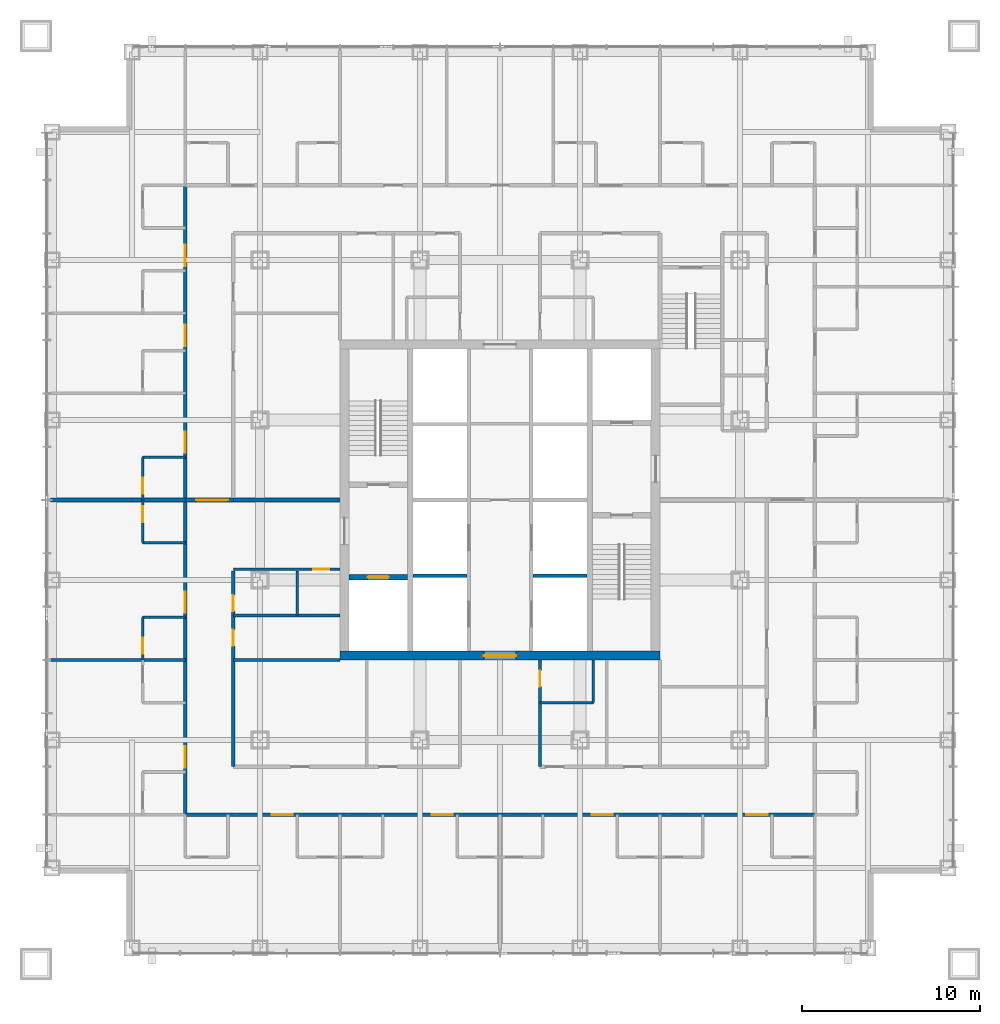
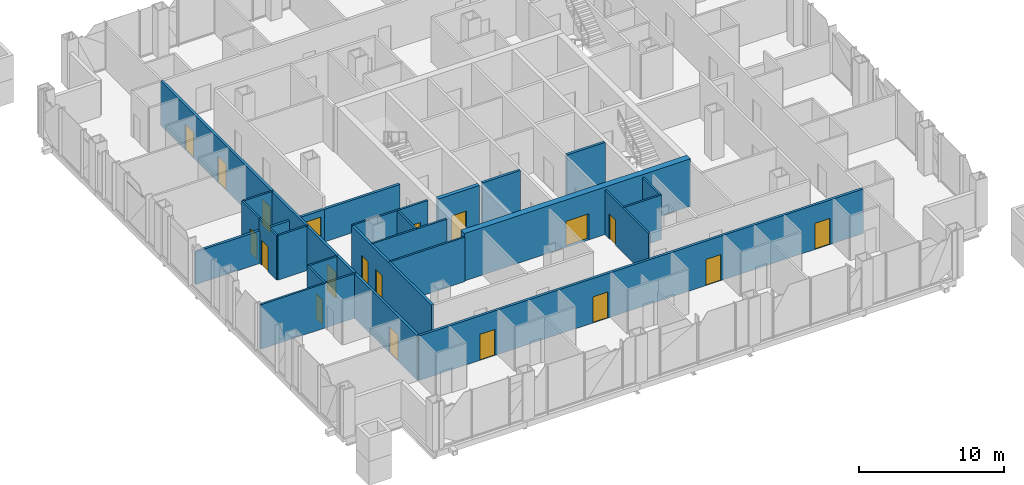
# One storey, part 8 of 23: 24 walls, 19 doors, 19 openings.
"""IFC4 building model written with IfcOpenShell, lengths in metres."""

from ifc_helpers import new_model, si_unit, direction, frame, frame_2d, origin, place, context, subcontext, project, spatial, rectangle, extrude, material, layer, layer_set, type_object, element, fill, save


model = new_model("IFC4")

# Units and contexts
model_context = context("Model", 3, precision=1e-05, world=origin(), true_north=direction((0.0, 1.0)))
body_context = subcontext(model_context, "Body", "Model", "MODEL_VIEW")
ifc_project = project(units=[si_unit("LENGTHUNIT", "METRE"), si_unit("AREAUNIT", "SQUARE_METRE"), si_unit("VOLUMEUNIT", "CUBIC_METRE"), si_unit("PLANEANGLEUNIT", "RADIAN"), si_unit("MASSUNIT", "GRAM", prefix="KILO")], contexts=[model_context])

# Site, building, storey
site_placement = place(None, origin())
site = spatial("IfcSite", under=ifc_project, at=site_placement, CompositionType="ELEMENT")
building_placement = place(site_placement, origin())
building = spatial("IfcBuilding", under=site, at=building_placement, Name="Malebo Sky Hospital", CompositionType="ELEMENT")
storey_placement = place(building_placement, frame((0.0, 0.0, 91.0)))
storey = spatial("IfcBuildingStorey", under=building, at=storey_placement, Name="L21", CompositionType="ELEMENT", Elevation=91.0)

# Walls
ifc_material_1 = material(Name="Concrete C80/95", Category="concrete")
ifc_layer_1 = layer(ifc_material_1, 0.199951171875)
ifc_layer_set_1 = layer_set([ifc_layer_1], Name="CORE INNER WALL 200")
wall_type_1 = type_object("IfcWallType", Name="CORE INNER WALL 200", PredefinedType="SHEAR", material=ifc_layer_set_1)
for number, where, z_axis, x_axis, name in (
    (1, (55.10009765625, 57.75, 0.0), (0.0, 0.0, 1.0), (1.0, 0.0, 0.0), "Core wall SW0 L21"),
    (2, (61.85009765625, 57.75, 0.0), (0.0, 0.0, 1.0), (1.0, 0.0, 0.0), "Core wall SE0 L21"),
):
    element("IfcWall", number, at=place(storey_placement, frame(where, z_axis=z_axis, x_axis=x_axis)), inside=storey, type_object=wall_type_1, Name=name, PredefinedType="SHEAR", context=body_context, shape_type="SweptSolid", body=[
        extrude(rectangle(XDim=3.0498046875, YDim=0.199951171875, at=frame_2d((1.52490234375, 0.0))), origin(), (0.0, 0.0, 1.0), 4.0),
    ])

# Wall, opening, door
ifc_layer_2 = layer(ifc_material_1, 0.300048828125)
ifc_layer_set_2 = layer_set([ifc_layer_2], Name="CORE INNER WALL 300")
wall_type_2 = type_object("IfcWallType", Name="CORE INNER WALL 300", PredefinedType="SHEAR", material=ifc_layer_set_2)
wall_1_placement = place(storey_placement, frame((51.5, 57.64990234375, 0.0), z_axis=(0.0, 0.0, 1.0), x_axis=(1.0, 0.0, 0.0)))
wall_1 = element("IfcWall", 3, at=wall_1_placement, inside=storey, type_object=wall_type_2, Name="Core wall W2 L21", PredefinedType="SHEAR", context=body_context, shape_type="SweptSolid", body=[
    extrude(rectangle(XDim=3.300048828125, YDim=0.300048828125, at=frame_2d((1.64990234375, 0.0))), origin(), (0.0, 0.0, 1.0), 4.0),
])
opening_1_placement = place(wall_1_placement, frame((1.050048828125, 0.0, 0.0)))
opening_1 = element("IfcOpeningElement", 4, at=opening_1_placement, cuts=wall_1, Name="Opening LD2", PredefinedType="OPENING", context=body_context, shape_type="SweptSolid", body=[
    extrude(rectangle(XDim=1.199951171875, YDim=2.199951171875, at=frame_2d((0.60009765625, 1.10009765625))), frame((0.0, 0.159912109375, 0.0), z_axis=(0.0, -1.0, 0.0), x_axis=(1.0, 0.0, 0.0)), (0.0, 0.0, 1.0), 0.320068359375),
])
ifc_material_2 = material(Name="Stainless steel sliding landing door", Category="steel")
door_type_1 = type_object("IfcDoorType", Name="FIRE-FIGHTING LIFT LANDING DOOR 1200", OperationType="SLIDING_TO_LEFT", PredefinedType="DOOR", material=ifc_material_2)
door_1_placement = place(opening_1_placement, origin())
door_1 = element("IfcDoor", 5, at=door_1_placement, inside=storey, type_object=door_type_1, Name="Lift FL1 landing door", OperationType="SLIDING_TO_LEFT", OverallHeight=2.199951171875, OverallWidth=1.199951171875, PredefinedType="DOOR", context=body_context, shape_type="SweptSolid", body=[
    extrude(rectangle(XDim=1.199951171875, YDim=2.199951171875, at=frame_2d((0.60009765625, 1.10009765625))), frame((0.0, 0.02490234375, 0.0), z_axis=(0.0, -1.0, 0.0), x_axis=(1.0, 0.0, 0.0)), (0.0, 0.0, 1.0), 0.050048828125),
])
fill(opening_1, door_1)

ifc_layer_3 = layer(ifc_material_1, 0.5)
ifc_layer_set_3 = layer_set([ifc_layer_3], Name="CORE WALL 500")
wall_type_3 = type_object("IfcWallType", Name="CORE WALL 500", PredefinedType="SHEAR", material=ifc_layer_set_3)
wall_2_placement = place(storey_placement, frame((51.0, 53.25, 0.0), z_axis=(0.0, 0.0, 1.0), x_axis=(1.0, 0.0, 0.0)))
wall_2 = element("IfcWall", 6, at=wall_2_placement, inside=storey, type_object=wall_type_3, Name="Core wall S L21", PredefinedType="SHEAR", context=body_context, shape_type="SweptSolid", body=[
    extrude(rectangle(XDim=18.0, YDim=0.5, at=frame_2d((9.0, 0.0))), origin(), (0.0, 0.0, 1.0), 4.0),
])
opening_2_placement = place(wall_2_placement, frame((8.10009765625, 0.0, 0.0)))
opening_2 = element("IfcOpeningElement", 7, at=opening_2_placement, cuts=wall_2, Name="Opening D06", PredefinedType="OPENING", context=body_context, shape_type="SweptSolid", body=[
    extrude(rectangle(XDim=1.800048828125, YDim=2.199951171875, at=frame_2d((0.89990234375, 1.10009765625))), frame((0.0, 0.260009765625, 0.0), z_axis=(0.0, -1.0, 0.0), x_axis=(1.0, 0.0, 0.0)), (0.0, 0.0, 1.0), 0.52001953125),
])
ifc_material_3 = material(Name="Hardwood-faced door leaf in steel frame", Category="steel")
door_type_2 = type_object("IfcDoorType", Name="LOBBY DOOR PAIR 1800", OperationType="DOUBLE_DOOR_SINGLE_SWING", PredefinedType="DOOR", material=ifc_material_3)
door_2_placement = place(opening_2_placement, origin())
door_2 = element("IfcDoor", 8, at=door_2_placement, inside=storey, type_object=door_type_2, Name="Lift lobby door south", OperationType="DOUBLE_DOOR_SINGLE_SWING", OverallHeight=2.199951171875, OverallWidth=1.800048828125, PredefinedType="DOOR", context=body_context, shape_type="SweptSolid", body=[
    extrude(rectangle(XDim=1.800048828125, YDim=2.199951171875, at=frame_2d((0.89990234375, 1.10009765625))), frame((0.0, 0.02490234375, 0.0), z_axis=(0.0, -1.0, 0.0), x_axis=(1.0, 0.0, 0.0)), (0.0, 0.0, 1.0), 0.050048828125),
])
fill(opening_2, door_2)

# Wall, openings, doors
ifc_material_4 = material(Name="Gypsum board on steel studs", Category="steel")
ifc_layer_4 = layer(ifc_material_4, 0.199951171875)
ifc_layer_set_4 = layer_set([ifc_layer_4], Name="CORRIDOR WALL 200")
wall_type_4 = type_object("IfcWallType", Name="CORRIDOR WALL 200", PredefinedType="PARTITIONING", material=ifc_layer_set_4)
wall_3_placement = place(storey_placement, frame((42.300048828125, 44.300048828125, 0.0), z_axis=(0.0, 0.0, 1.0), x_axis=(0.0, 1.0, 0.0)))
wall_3 = element("IfcWall", 9, at=wall_3_placement, inside=storey, type_object=wall_type_4, Name="Corridor Wall 200 WCO", PredefinedType="PARTITIONING", context=body_context, shape_type="SweptSolid", body=[
    extrude(rectangle(XDim=35.39990234375, YDim=0.199951171875, at=frame_2d((17.699951171875, 0.0))), origin(), (0.0, 0.0, 1.0), 3.75),
])
opening_3_placement = place(wall_3_placement, frame((2.64990234375, 0.0, 0.0)))
opening_3 = element("IfcOpeningElement", 10, at=opening_3_placement, cuts=wall_3, Name="Opening D01", PredefinedType="OPENING", context=body_context, shape_type="SweptSolid", body=[
    extrude(rectangle(XDim=1.199951171875, YDim=2.199951171875, at=frame_2d((0.60009765625, 1.10009765625))), frame((0.0, 0.10986328125, 0.0), z_axis=(0.0, -1.0, 0.0), x_axis=(1.0, 0.0, 0.0)), (0.0, 0.0, 1.0), 0.219970703125),
])
opening_4_placement = place(wall_3_placement, frame((11.35009765625, 0.0, 0.0)))
opening_4 = element("IfcOpeningElement", 11, at=opening_4_placement, cuts=wall_3, Name="Opening D01", PredefinedType="OPENING", context=body_context, shape_type="SweptSolid", body=[
    extrude(rectangle(XDim=1.199951171875, YDim=2.199951171875, at=frame_2d((0.60009765625, 1.10009765625))), frame((0.0, 0.10986328125, 0.0), z_axis=(0.0, -1.0, 0.0), x_axis=(1.0, 0.0, 0.0)), (0.0, 0.0, 1.0), 0.219970703125),
])
opening_5_placement = place(wall_3_placement, frame((20.35009765625, 0.0, 0.0)))
opening_5 = element("IfcOpeningElement", 12, at=opening_5_placement, cuts=wall_3, Name="Opening D01", PredefinedType="OPENING", context=body_context, shape_type="SweptSolid", body=[
    extrude(rectangle(XDim=1.199951171875, YDim=2.199951171875, at=frame_2d((0.60009765625, 1.10009765625))), frame((0.0, 0.10986328125, 0.0), z_axis=(0.0, -1.0, 0.0), x_axis=(1.0, 0.0, 0.0)), (0.0, 0.0, 1.0), 0.219970703125),
])
opening_6_placement = place(wall_3_placement, frame((26.35009765625, 0.0, 0.0)))
opening_6 = element("IfcOpeningElement", 13, at=opening_6_placement, cuts=wall_3, Name="Opening D01", PredefinedType="OPENING", context=body_context, shape_type="SweptSolid", body=[
    extrude(rectangle(XDim=1.199951171875, YDim=2.199951171875, at=frame_2d((0.60009765625, 1.10009765625))), frame((0.0, 0.10986328125, 0.0), z_axis=(0.0, -1.0, 0.0), x_axis=(1.0, 0.0, 0.0)), (0.0, 0.0, 1.0), 0.219970703125),
])
opening_7_placement = place(wall_3_placement, frame((30.85009765625, 0.0, 0.0)))
opening_7 = element("IfcOpeningElement", 14, at=opening_7_placement, cuts=wall_3, Name="Opening D01", PredefinedType="OPENING", context=body_context, shape_type="SweptSolid", body=[
    extrude(rectangle(XDim=1.199951171875, YDim=2.199951171875, at=frame_2d((0.60009765625, 1.10009765625))), frame((0.0, 0.10986328125, 0.0), z_axis=(0.0, -1.0, 0.0), x_axis=(1.0, 0.0, 0.0)), (0.0, 0.0, 1.0), 0.219970703125),
])
door_type_3 = type_object("IfcDoorType", Name="BED DOOR 1200", OperationType="SINGLE_SWING_LEFT", PredefinedType="DOOR", material=ifc_material_3)
door_3_placement = place(opening_3_placement, origin())
door_3 = element("IfcDoor", 15, at=door_3_placement, inside=storey, type_object=door_type_3, Name="Four-bed bay door", OperationType="SINGLE_SWING_LEFT", OverallHeight=2.199951171875, OverallWidth=1.199951171875, PredefinedType="DOOR", context=body_context, shape_type="SweptSolid", body=[
    extrude(rectangle(XDim=1.199951171875, YDim=2.199951171875, at=frame_2d((0.60009765625, 1.10009765625))), frame((0.0, 0.02490234375, 0.0), z_axis=(0.0, -1.0, 0.0), x_axis=(1.0, 0.0, 0.0)), (0.0, 0.0, 1.0), 0.050048828125),
])
fill(opening_3, door_3)
door_4_placement = place(opening_4_placement, origin())
door_4 = element("IfcDoor", 16, at=door_4_placement, inside=storey, type_object=door_type_3, Name="Four-bed bay door", OperationType="SINGLE_SWING_LEFT", OverallHeight=2.199951171875, OverallWidth=1.199951171875, PredefinedType="DOOR", context=body_context, shape_type="SweptSolid", body=[
    extrude(rectangle(XDim=1.199951171875, YDim=2.199951171875, at=frame_2d((0.60009765625, 1.10009765625))), frame((0.0, 0.02490234375, 0.0), z_axis=(0.0, -1.0, 0.0), x_axis=(1.0, 0.0, 0.0)), (0.0, 0.0, 1.0), 0.050048828125),
])
fill(opening_4, door_4)
door_5_placement = place(opening_5_placement, origin())
door_5 = element("IfcDoor", 17, at=door_5_placement, inside=storey, type_object=door_type_3, Name="Single bed room door", OperationType="SINGLE_SWING_LEFT", OverallHeight=2.199951171875, OverallWidth=1.199951171875, PredefinedType="DOOR", context=body_context, shape_type="SweptSolid", body=[
    extrude(rectangle(XDim=1.199951171875, YDim=2.199951171875, at=frame_2d((0.60009765625, 1.10009765625))), frame((0.0, 0.02490234375, 0.0), z_axis=(0.0, -1.0, 0.0), x_axis=(1.0, 0.0, 0.0)), (0.0, 0.0, 1.0), 0.050048828125),
])
fill(opening_5, door_5)
door_6_placement = place(opening_6_placement, origin())
door_6 = element("IfcDoor", 18, at=door_6_placement, inside=storey, type_object=door_type_3, Name="Single bed room door", OperationType="SINGLE_SWING_LEFT", OverallHeight=2.199951171875, OverallWidth=1.199951171875, PredefinedType="DOOR", context=body_context, shape_type="SweptSolid", body=[
    extrude(rectangle(XDim=1.199951171875, YDim=2.199951171875, at=frame_2d((0.60009765625, 1.10009765625))), frame((0.0, 0.02490234375, 0.0), z_axis=(0.0, -1.0, 0.0), x_axis=(1.0, 0.0, 0.0)), (0.0, 0.0, 1.0), 0.050048828125),
])
fill(opening_6, door_6)
door_7_placement = place(opening_7_placement, origin())
door_7 = element("IfcDoor", 19, at=door_7_placement, inside=storey, type_object=door_type_3, Name="Four-bed bay door", OperationType="SINGLE_SWING_LEFT", OverallHeight=2.199951171875, OverallWidth=1.199951171875, PredefinedType="DOOR", context=body_context, shape_type="SweptSolid", body=[
    extrude(rectangle(XDim=1.199951171875, YDim=2.199951171875, at=frame_2d((0.60009765625, 1.10009765625))), frame((0.0, 0.02490234375, 0.0), z_axis=(0.0, -1.0, 0.0), x_axis=(1.0, 0.0, 0.0)), (0.0, 0.0, 1.0), 0.050048828125),
])
fill(opening_7, door_7)

wall_4_placement = place(storey_placement, frame((45.0, 47.0, 0.0), z_axis=(0.0, 0.0, 1.0), x_axis=(0.0, 1.0, 0.0)))
wall_4 = element("IfcWall", 20, at=wall_4_placement, inside=storey, type_object=wall_type_4, Name="Corridor Wall 200 WCI1", PredefinedType="PARTITIONING", context=body_context, shape_type="SweptSolid", body=[
    extrude(rectangle(XDim=11.0, YDim=0.199951171875, at=frame_2d((5.5, 0.0))), origin(), (0.0, 0.0, 1.0), 3.75),
])
opening_8_placement = place(wall_4_placement, frame((6.800048828125, 0.0, 0.0)))
opening_8 = element("IfcOpeningElement", 21, at=opening_8_placement, cuts=wall_4, Name="Opening D04", PredefinedType="OPENING", context=body_context, shape_type="SweptSolid", body=[
    extrude(rectangle(XDim=0.89990234375, YDim=2.10009765625, at=frame_2d((0.449951171875, 1.050048828125))), frame((0.0, 0.10986328125, 0.0), z_axis=(0.0, -1.0, 0.0), x_axis=(1.0, 0.0, 0.0)), (0.0, 0.0, 1.0), 0.219970703125),
])
opening_9_placement = place(wall_4_placement, frame((8.75, 0.0, 0.0)))
opening_9 = element("IfcOpeningElement", 22, at=opening_9_placement, cuts=wall_4, Name="Opening D04", PredefinedType="OPENING", context=body_context, shape_type="SweptSolid", body=[
    extrude(rectangle(XDim=0.89990234375, YDim=2.10009765625, at=frame_2d((0.449951171875, 1.050048828125))), frame((0.0, 0.10986328125, 0.0), z_axis=(0.0, -1.0, 0.0), x_axis=(1.0, 0.0, 0.0)), (0.0, 0.0, 1.0), 0.219970703125),
])
door_type_4 = type_object("IfcDoorType", Name="ROOM DOOR 900", OperationType="SINGLE_SWING_LEFT", PredefinedType="DOOR", material=ifc_material_3)
door_8_placement = place(opening_8_placement, origin())
door_8 = element("IfcDoor", 23, at=door_8_placement, inside=storey, type_object=door_type_4, Name="Medication room door", OperationType="SINGLE_SWING_LEFT", OverallHeight=2.10009765625, OverallWidth=0.89990234375, PredefinedType="DOOR", context=body_context, shape_type="SweptSolid", body=[
    extrude(rectangle(XDim=0.89990234375, YDim=2.10009765625, at=frame_2d((0.449951171875, 1.050048828125))), frame((0.0, 0.02490234375, 0.0), z_axis=(0.0, -1.0, 0.0), x_axis=(1.0, 0.0, 0.0)), (0.0, 0.0, 1.0), 0.050048828125),
])
fill(opening_8, door_8)
door_9_placement = place(opening_9_placement, origin())
door_9 = element("IfcDoor", 24, at=door_9_placement, inside=storey, type_object=door_type_4, Name="Assisted bathroom door", OperationType="SINGLE_SWING_LEFT", OverallHeight=2.10009765625, OverallWidth=0.89990234375, PredefinedType="DOOR", context=body_context, shape_type="SweptSolid", body=[
    extrude(rectangle(XDim=0.89990234375, YDim=2.10009765625, at=frame_2d((0.449951171875, 1.050048828125))), frame((0.0, 0.02490234375, 0.0), z_axis=(0.0, -1.0, 0.0), x_axis=(1.0, 0.0, 0.0)), (0.0, 0.0, 1.0), 0.050048828125),
])
fill(opening_9, door_9)

wall_5_placement = place(storey_placement, frame((77.699951171875, 44.300048828125, 0.0), z_axis=(0.0, 0.0, 1.0), x_axis=(-1.0, 0.0, 0.0)))
wall_5 = element("IfcWall", 25, at=wall_5_placement, inside=storey, type_object=wall_type_4, Name="Corridor Wall 200 SCO", PredefinedType="PARTITIONING", context=body_context, shape_type="SweptSolid", body=[
    extrude(rectangle(XDim=35.39990234375, YDim=0.199951171875, at=frame_2d((17.699951171875, 0.0))), origin(), (0.0, 0.0, 1.0), 3.75),
])
opening_10_placement = place(wall_5_placement, frame((2.64990234375, 0.0, 0.0)))
opening_10 = element("IfcOpeningElement", 26, at=opening_10_placement, cuts=wall_5, Name="Opening D01", PredefinedType="OPENING", context=body_context, shape_type="SweptSolid", body=[
    extrude(rectangle(XDim=1.199951171875, YDim=2.199951171875, at=frame_2d((0.60009765625, 1.10009765625))), frame((0.0, 0.10986328125, 0.0), z_axis=(0.0, -1.0, 0.0), x_axis=(1.0, 0.0, 0.0)), (0.0, 0.0, 1.0), 0.219970703125),
])
opening_11_placement = place(wall_5_placement, frame((11.35009765625, 0.0, 0.0)))
opening_11 = element("IfcOpeningElement", 27, at=opening_11_placement, cuts=wall_5, Name="Opening D01", PredefinedType="OPENING", context=body_context, shape_type="SweptSolid", body=[
    extrude(rectangle(XDim=1.199951171875, YDim=2.199951171875, at=frame_2d((0.60009765625, 1.10009765625))), frame((0.0, 0.10986328125, 0.0), z_axis=(0.0, -1.0, 0.0), x_axis=(1.0, 0.0, 0.0)), (0.0, 0.0, 1.0), 0.219970703125),
])
opening_12_placement = place(wall_5_placement, frame((20.35009765625, 0.0, 0.0)))
opening_12 = element("IfcOpeningElement", 28, at=opening_12_placement, cuts=wall_5, Name="Opening D01", PredefinedType="OPENING", context=body_context, shape_type="SweptSolid", body=[
    extrude(rectangle(XDim=1.199951171875, YDim=2.199951171875, at=frame_2d((0.60009765625, 1.10009765625))), frame((0.0, 0.10986328125, 0.0), z_axis=(0.0, -1.0, 0.0), x_axis=(1.0, 0.0, 0.0)), (0.0, 0.0, 1.0), 0.219970703125),
])
opening_13_placement = place(wall_5_placement, frame((29.35009765625, 0.0, 0.0)))
opening_13 = element("IfcOpeningElement", 29, at=opening_13_placement, cuts=wall_5, Name="Opening D01", PredefinedType="OPENING", context=body_context, shape_type="SweptSolid", body=[
    extrude(rectangle(XDim=1.199951171875, YDim=2.199951171875, at=frame_2d((0.60009765625, 1.10009765625))), frame((0.0, 0.10986328125, 0.0), z_axis=(0.0, -1.0, 0.0), x_axis=(1.0, 0.0, 0.0)), (0.0, 0.0, 1.0), 0.219970703125),
])
door_10_placement = place(opening_10_placement, origin())
door_10 = element("IfcDoor", 30, at=door_10_placement, inside=storey, type_object=door_type_3, Name="Four-bed bay door", OperationType="SINGLE_SWING_LEFT", OverallHeight=2.199951171875, OverallWidth=1.199951171875, PredefinedType="DOOR", context=body_context, shape_type="SweptSolid", body=[
    extrude(rectangle(XDim=1.199951171875, YDim=2.199951171875, at=frame_2d((0.60009765625, 1.10009765625))), frame((0.0, 0.02490234375, 0.0), z_axis=(0.0, -1.0, 0.0), x_axis=(1.0, 0.0, 0.0)), (0.0, 0.0, 1.0), 0.050048828125),
])
fill(opening_10, door_10)
door_11_placement = place(opening_11_placement, origin())
door_11 = element("IfcDoor", 31, at=door_11_placement, inside=storey, type_object=door_type_3, Name="Four-bed bay door", OperationType="SINGLE_SWING_LEFT", OverallHeight=2.199951171875, OverallWidth=1.199951171875, PredefinedType="DOOR", context=body_context, shape_type="SweptSolid", body=[
    extrude(rectangle(XDim=1.199951171875, YDim=2.199951171875, at=frame_2d((0.60009765625, 1.10009765625))), frame((0.0, 0.02490234375, 0.0), z_axis=(0.0, -1.0, 0.0), x_axis=(1.0, 0.0, 0.0)), (0.0, 0.0, 1.0), 0.050048828125),
])
fill(opening_11, door_11)
door_12_placement = place(opening_12_placement, origin())
door_12 = element("IfcDoor", 32, at=door_12_placement, inside=storey, type_object=door_type_3, Name="Four-bed bay door", OperationType="SINGLE_SWING_LEFT", OverallHeight=2.199951171875, OverallWidth=1.199951171875, PredefinedType="DOOR", context=body_context, shape_type="SweptSolid", body=[
    extrude(rectangle(XDim=1.199951171875, YDim=2.199951171875, at=frame_2d((0.60009765625, 1.10009765625))), frame((0.0, 0.02490234375, 0.0), z_axis=(0.0, -1.0, 0.0), x_axis=(1.0, 0.0, 0.0)), (0.0, 0.0, 1.0), 0.050048828125),
])
fill(opening_12, door_12)
door_13_placement = place(opening_13_placement, origin())
door_13 = element("IfcDoor", 33, at=door_13_placement, inside=storey, type_object=door_type_3, Name="Four-bed bay door", OperationType="SINGLE_SWING_LEFT", OverallHeight=2.199951171875, OverallWidth=1.199951171875, PredefinedType="DOOR", context=body_context, shape_type="SweptSolid", body=[
    extrude(rectangle(XDim=1.199951171875, YDim=2.199951171875, at=frame_2d((0.60009765625, 1.10009765625))), frame((0.0, 0.02490234375, 0.0), z_axis=(0.0, -1.0, 0.0), x_axis=(1.0, 0.0, 0.0)), (0.0, 0.0, 1.0), 0.050048828125),
])
fill(opening_13, door_13)

# Wall
ifc_layer_5 = layer(ifc_material_4, 0.14990234375)
ifc_layer_set_5 = layer_set([ifc_layer_5], Name="PARTITION 150")
wall_type_5 = type_object("IfcWallType", Name="PARTITION 150", PredefinedType="PARTITIONING", material=ifc_layer_set_5)
wall_6_placement = place(storey_placement, frame((42.300048828125, 53.0, 0.0), z_axis=(0.0, 0.0, 1.0), x_axis=(-1.0, 0.0, 0.0)))
element("IfcWall", 34, at=wall_6_placement, inside=storey, type_object=wall_type_5, Name="Partition 150 WP-9.0", PredefinedType="PARTITIONING", context=body_context, shape_type="SweptSolid", body=[
    extrude(rectangle(XDim=7.574951171875, YDim=0.14990234375, at=frame_2d((3.78759765625, 0.0))), origin(), (0.0, 0.0, 1.0), 3.75),
])

# Wall, opening, door
wall_7_placement = place(storey_placement, frame((39.89990234375, 53.0, 0.0), z_axis=(0.0, 0.0, 1.0), x_axis=(0.0, 1.0, 0.0)))
wall_7 = element("IfcWall", 35, at=wall_7_placement, inside=storey, type_object=wall_type_5, Name="Partition 150 WE1F", PredefinedType="PARTITIONING", context=body_context, shape_type="SweptSolid", body=[
    extrude(rectangle(XDim=2.39990234375, YDim=0.14990234375, at=frame_2d((1.199951171875, 0.0))), origin(), (0.0, 0.0, 1.0), 3.75),
])
opening_14_placement = place(wall_7_placement, frame((0.35009765625, 0.0, 0.0)))
opening_14 = element("IfcOpeningElement", 36, at=opening_14_placement, cuts=wall_7, Name="Opening D02", PredefinedType="OPENING", context=body_context, shape_type="SweptSolid", body=[
    extrude(rectangle(XDim=0.89990234375, YDim=2.10009765625, at=frame_2d((0.449951171875, 1.050048828125))), frame((0.0, 0.0849609375, 0.0), z_axis=(0.0, -1.0, 0.0), x_axis=(1.0, 0.0, 0.0)), (0.0, 0.0, 1.0), 0.169921875),
])
door_type_5 = type_object("IfcDoorType", Name="EN-SUITE DOOR 900", OperationType="SINGLE_SWING_LEFT", PredefinedType="DOOR", material=ifc_material_3)
door_14_placement = place(opening_14_placement, origin())
door_14 = element("IfcDoor", 37, at=door_14_placement, inside=storey, type_object=door_type_5, Name="En-suite door", OperationType="SINGLE_SWING_LEFT", OverallHeight=2.10009765625, OverallWidth=0.89990234375, PredefinedType="DOOR", context=body_context, shape_type="SweptSolid", body=[
    extrude(rectangle(XDim=0.89990234375, YDim=2.10009765625, at=frame_2d((0.449951171875, 1.050048828125))), frame((0.0, 0.02490234375, 0.0), z_axis=(0.0, -1.0, 0.0), x_axis=(1.0, 0.0, 0.0)), (0.0, 0.0, 1.0), 0.050048828125),
])
fill(opening_14, door_14)

# Wall
wall_8_placement = place(storey_placement, frame((42.300048828125, 55.39990234375, 0.0), z_axis=(0.0, 0.0, 1.0), x_axis=(-1.0, 0.0, 0.0)))
element("IfcWall", 38, at=wall_8_placement, inside=storey, type_object=wall_type_5, Name="Partition 150 WE1S", PredefinedType="PARTITIONING", context=body_context, shape_type="SweptSolid", body=[
    extrude(rectangle(XDim=2.400146484375, YDim=0.14990234375, at=frame_2d((1.2001953125, 0.0))), origin(), (0.0, 0.0, 1.0), 3.75),
])

# Wall, opening, door
wall_9_placement = place(storey_placement, frame((39.89990234375, 59.60009765625, 0.0), z_axis=(0.0, 0.0, 1.0), x_axis=(0.0, 1.0, 0.0)))
wall_9 = element("IfcWall", 39, at=wall_9_placement, inside=storey, type_object=wall_type_5, Name="Partition 150 WG1F", PredefinedType="PARTITIONING", context=body_context, shape_type="SweptSolid", body=[
    extrude(rectangle(XDim=2.39990234375, YDim=0.14990234375, at=frame_2d((1.199951171875, 0.0))), origin(), (0.0, 0.0, 1.0), 3.75),
])
opening_15_placement = place(wall_9_placement, frame((1.14990234375, 0.0, 0.0)))
opening_15 = element("IfcOpeningElement", 40, at=opening_15_placement, cuts=wall_9, Name="Opening D02", PredefinedType="OPENING", context=body_context, shape_type="SweptSolid", body=[
    extrude(rectangle(XDim=0.89990234375, YDim=2.10009765625, at=frame_2d((0.449951171875, 1.050048828125))), frame((0.0, 0.0849609375, 0.0), z_axis=(0.0, -1.0, 0.0), x_axis=(1.0, 0.0, 0.0)), (0.0, 0.0, 1.0), 0.169921875),
])
door_15_placement = place(opening_15_placement, origin())
door_15 = element("IfcDoor", 41, at=door_15_placement, inside=storey, type_object=door_type_5, Name="En-suite door", OperationType="SINGLE_SWING_RIGHT", OverallHeight=2.10009765625, OverallWidth=0.89990234375, PredefinedType="DOOR", context=body_context, shape_type="SweptSolid", body=[
    extrude(rectangle(XDim=0.89990234375, YDim=2.10009765625, at=frame_2d((0.449951171875, 1.050048828125))), frame((0.0, 0.02490234375, 0.0), z_axis=(0.0, -1.0, 0.0), x_axis=(1.0, 0.0, 0.0)), (0.0, 0.0, 1.0), 0.050048828125),
])
fill(opening_15, door_15)

# Wall
wall_10_placement = place(storey_placement, frame((42.300048828125, 59.60009765625, 0.0), z_axis=(0.0, 0.0, 1.0), x_axis=(-1.0, 0.0, 0.0)))
element("IfcWall", 42, at=wall_10_placement, inside=storey, type_object=wall_type_5, Name="Partition 150 WG1S", PredefinedType="PARTITIONING", context=body_context, shape_type="SweptSolid", body=[
    extrude(rectangle(XDim=2.400146484375, YDim=0.14990234375, at=frame_2d((1.2001953125, 0.0))), origin(), (0.0, 0.0, 1.0), 3.75),
])

# Wall, opening, door
wall_11_placement = place(storey_placement, frame((39.89990234375, 62.0, 0.0), z_axis=(0.0, 0.0, 1.0), x_axis=(0.0, 1.0, 0.0)))
wall_11 = element("IfcWall", 43, at=wall_11_placement, inside=storey, type_object=wall_type_5, Name="Partition 150 WE2F", PredefinedType="PARTITIONING", context=body_context, shape_type="SweptSolid", body=[
    extrude(rectangle(XDim=2.39990234375, YDim=0.14990234375, at=frame_2d((1.199951171875, 0.0))), origin(), (0.0, 0.0, 1.0), 3.75),
])
opening_16_placement = place(wall_11_placement, frame((0.35009765625, 0.0, 0.0)))
opening_16 = element("IfcOpeningElement", 44, at=opening_16_placement, cuts=wall_11, Name="Opening D02", PredefinedType="OPENING", context=body_context, shape_type="SweptSolid", body=[
    extrude(rectangle(XDim=0.89990234375, YDim=2.10009765625, at=frame_2d((0.449951171875, 1.050048828125))), frame((0.0, 0.0849609375, 0.0), z_axis=(0.0, -1.0, 0.0), x_axis=(1.0, 0.0, 0.0)), (0.0, 0.0, 1.0), 0.169921875),
])
door_16_placement = place(opening_16_placement, origin())
door_16 = element("IfcDoor", 45, at=door_16_placement, inside=storey, type_object=door_type_5, Name="En-suite door", OperationType="SINGLE_SWING_LEFT", OverallHeight=2.10009765625, OverallWidth=0.89990234375, PredefinedType="DOOR", context=body_context, shape_type="SweptSolid", body=[
    extrude(rectangle(XDim=0.89990234375, YDim=2.10009765625, at=frame_2d((0.449951171875, 1.050048828125))), frame((0.0, 0.02490234375, 0.0), z_axis=(0.0, -1.0, 0.0), x_axis=(1.0, 0.0, 0.0)), (0.0, 0.0, 1.0), 0.050048828125),
])
fill(opening_16, door_16)

# Walls
wall_12_placement = place(storey_placement, frame((42.300048828125, 64.39990234375, 0.0), z_axis=(0.0, 0.0, 1.0), x_axis=(-1.0, 0.0, 0.0)))
element("IfcWall", 46, at=wall_12_placement, inside=storey, type_object=wall_type_5, Name="Partition 150 WE2S", PredefinedType="PARTITIONING", context=body_context, shape_type="SweptSolid", body=[
    extrude(rectangle(XDim=2.400146484375, YDim=0.14990234375, at=frame_2d((1.2001953125, 0.0))), origin(), (0.0, 0.0, 1.0), 3.75),
])
wall_13_placement = place(storey_placement, frame((51.0, 53.0, 0.0), z_axis=(0.0, 0.0, 1.0), x_axis=(-1.0, 0.0, 0.0)))
element("IfcWall", 47, at=wall_13_placement, inside=storey, type_object=wall_type_5, Name="Partition 150 WSP0", PredefinedType="PARTITIONING", context=body_context, shape_type="SweptSolid", body=[
    extrude(rectangle(XDim=6.0, YDim=0.14990234375, at=frame_2d((3.0, 0.0))), origin(), (0.0, 0.0, 1.0), 3.75),
])

# Wall, opening, door
wall_14_placement = place(storey_placement, frame((51.0, 58.10009765625, 0.0), z_axis=(0.0, 0.0, 1.0), x_axis=(-1.0, 0.0, 0.0)))
wall_14 = element("IfcWall", 48, at=wall_14_placement, inside=storey, type_object=wall_type_5, Name="Partition 150 WSPA", PredefinedType="PARTITIONING", context=body_context, shape_type="SweptSolid", body=[
    extrude(rectangle(XDim=6.0, YDim=0.14990234375, at=frame_2d((3.0, 0.0))), origin(), (0.0, 0.0, 1.0), 3.75),
])
opening_17_placement = place(wall_14_placement, frame((0.60009765625, 0.0, 0.0)))
opening_17 = element("IfcOpeningElement", 49, at=opening_17_placement, cuts=wall_14, Name="Opening D04", PredefinedType="OPENING", context=body_context, shape_type="SweptSolid", body=[
    extrude(rectangle(XDim=0.89990234375, YDim=2.10009765625, at=frame_2d((0.449951171875, 1.050048828125))), frame((0.0, 0.0849609375, 0.0), z_axis=(0.0, -1.0, 0.0), x_axis=(1.0, 0.0, 0.0)), (0.0, 0.0, 1.0), 0.169921875),
])
door_17_placement = place(opening_17_placement, origin())
door_17 = element("IfcDoor", 50, at=door_17_placement, inside=storey, type_object=door_type_4, Name="Cleaner's room door", OperationType="SINGLE_SWING_LEFT", OverallHeight=2.10009765625, OverallWidth=0.89990234375, PredefinedType="DOOR", context=body_context, shape_type="SweptSolid", body=[
    extrude(rectangle(XDim=0.89990234375, YDim=2.10009765625, at=frame_2d((0.449951171875, 1.050048828125))), frame((0.0, 0.02490234375, 0.0), z_axis=(0.0, -1.0, 0.0), x_axis=(1.0, 0.0, 0.0)), (0.0, 0.0, 1.0), 0.050048828125),
])
fill(opening_17, door_17)

# Walls
wall_15_placement = place(storey_placement, frame((51.0, 55.5, 0.0), z_axis=(0.0, 0.0, 1.0), x_axis=(-1.0, 0.0, 0.0)))
element("IfcWall", 51, at=wall_15_placement, inside=storey, type_object=wall_type_5, Name="Partition 150 WSP-6.5", PredefinedType="PARTITIONING", context=body_context, shape_type="SweptSolid", body=[
    extrude(rectangle(XDim=6.0, YDim=0.14990234375, at=frame_2d((3.0, 0.0))), origin(), (0.0, 0.0, 1.0), 3.75),
])
wall_16_placement = place(storey_placement, frame((48.60009765625, 55.5, 0.0), z_axis=(0.0, 0.0, 1.0), x_axis=(0.0, 1.0, 0.0)))
element("IfcWall", 52, at=wall_16_placement, inside=storey, type_object=wall_type_5, Name="Partition 150 WSX1", PredefinedType="PARTITIONING", context=body_context, shape_type="SweptSolid", body=[
    extrude(rectangle(XDim=2.5, YDim=0.14990234375, at=frame_2d((1.25, 0.0))), origin(), (0.0, 0.0, 1.0), 3.75),
])

# Wall, opening, door
wall_17_placement = place(storey_placement, frame((62.25, 53.0, 0.0), z_axis=(0.0, 0.0, 1.0), x_axis=(0.0, -1.0, 0.0)))
wall_17 = element("IfcWall", 53, at=wall_17_placement, inside=storey, type_object=wall_type_5, Name="Partition 150 SSPA", PredefinedType="PARTITIONING", context=body_context, shape_type="SweptSolid", body=[
    extrude(rectangle(XDim=6.0, YDim=0.14990234375, at=frame_2d((3.0, 0.0))), origin(), (0.0, 0.0, 1.0), 3.75),
])
opening_18_placement = place(wall_17_placement, frame((0.60009765625, 0.0, 0.0)))
opening_18 = element("IfcOpeningElement", 54, at=opening_18_placement, cuts=wall_17, Name="Opening D04", PredefinedType="OPENING", context=body_context, shape_type="SweptSolid", body=[
    extrude(rectangle(XDim=0.89990234375, YDim=2.10009765625, at=frame_2d((0.449951171875, 1.050048828125))), frame((0.0, 0.0849609375, 0.0), z_axis=(0.0, -1.0, 0.0), x_axis=(1.0, 0.0, 0.0)), (0.0, 0.0, 1.0), 0.169921875),
])
door_18_placement = place(opening_18_placement, origin())
door_18 = element("IfcDoor", 55, at=door_18_placement, inside=storey, type_object=door_type_4, Name="Visitor WC door", OperationType="SINGLE_SWING_LEFT", OverallHeight=2.10009765625, OverallWidth=0.89990234375, PredefinedType="DOOR", context=body_context, shape_type="SweptSolid", body=[
    extrude(rectangle(XDim=0.89990234375, YDim=2.10009765625, at=frame_2d((0.449951171875, 1.050048828125))), frame((0.0, 0.02490234375, 0.0), z_axis=(0.0, -1.0, 0.0), x_axis=(1.0, 0.0, 0.0)), (0.0, 0.0, 1.0), 0.050048828125),
])
fill(opening_18, door_18)

# Walls
wall_18_placement = place(storey_placement, frame((65.25, 50.60009765625, 0.0), z_axis=(0.0, 0.0, 1.0), x_axis=(-1.0, 0.0, 0.0)))
element("IfcWall", 56, at=wall_18_placement, inside=storey, type_object=wall_type_5, Name="Partition 150 SSX1", PredefinedType="PARTITIONING", context=body_context, shape_type="SweptSolid", body=[
    extrude(rectangle(XDim=3.0, YDim=0.14990234375, at=frame_2d((1.5, 0.0))), origin(), (0.0, 0.0, 1.0), 3.75),
])
wall_19_placement = place(storey_placement, frame((65.25, 53.0, 0.0), z_axis=(0.0, 0.0, 1.0), x_axis=(0.0, -1.0, 0.0)))
element("IfcWall", 57, at=wall_19_placement, inside=storey, type_object=wall_type_5, Name="Partition 150 SSY1", PredefinedType="PARTITIONING", context=body_context, shape_type="SweptSolid", body=[
    extrude(rectangle(XDim=2.39990234375, YDim=0.14990234375, at=frame_2d((1.199951171875, 0.0))), origin(), (0.0, 0.0, 1.0), 3.75),
])
ifc_material_5 = material(Name="Concrete blockwork", Category="masonry")
ifc_layer_6 = layer(ifc_material_5, 0.199951171875)
ifc_layer_set_6 = layer_set([ifc_layer_6], Name="SMOKE BARRIER WALL 200")
wall_type_6 = type_object("IfcWallType", Name="SMOKE BARRIER WALL 200", PredefinedType="SOLIDWALL", material=ifc_layer_set_6)
wall_20_placement = place(storey_placement, frame((42.300048828125, 62.0, 0.0), z_axis=(0.0, 0.0, 1.0), x_axis=(-1.0, 0.0, 0.0)))
element("IfcWall", 58, at=wall_20_placement, inside=storey, type_object=wall_type_6, Name="Smoke Barrier Wall 200 WP+0.0", PredefinedType="SOLIDWALL", context=body_context, shape_type="SweptSolid", body=[
    extrude(rectangle(XDim=7.574951171875, YDim=0.199951171875, at=frame_2d((3.78759765625, 0.0))), origin(), (0.0, 0.0, 1.0), 2.75),
])
wall_21_placement = place(storey_placement, frame((51.0, 62.0, 0.0), z_axis=(0.0, 0.0, 1.0), x_axis=(-1.0, 0.0, 0.0)))
element("IfcWall", 59, at=wall_21_placement, inside=storey, type_object=wall_type_6, Name="Smoke Barrier Wall 200 WSPB", PredefinedType="SOLIDWALL", context=body_context, shape_type="SweptSolid", body=[
    extrude(rectangle(XDim=6.0, YDim=0.199951171875, at=frame_2d((3.0, 0.0))), origin(), (0.0, 0.0, 1.0), 2.75),
])

# Wall, opening, door
wall_22_placement = place(storey_placement, frame((45.0, 62.0, 0.0), z_axis=(0.0, 0.0, 1.0), x_axis=(-1.0, 0.0, 0.0)))
wall_22 = element("IfcWall", 60, at=wall_22_placement, inside=storey, type_object=wall_type_6, Name="Smoke Barrier Wall 200 WSB", PredefinedType="SOLIDWALL", context=body_context, shape_type="SweptSolid", body=[
    extrude(rectangle(XDim=2.699951171875, YDim=0.199951171875, at=frame_2d((1.35009765625, 0.0))), origin(), (0.0, 0.0, 1.0), 2.75),
])
opening_19_placement = place(wall_22_placement, frame((0.300048828125, 0.0, 0.0)))
opening_19 = element("IfcOpeningElement", 61, at=opening_19_placement, cuts=wall_22, Name="Opening D05", PredefinedType="OPENING", context=body_context, shape_type="SweptSolid", body=[
    extrude(rectangle(XDim=1.800048828125, YDim=2.199951171875, at=frame_2d((0.89990234375, 1.10009765625))), frame((0.0, 0.10986328125, 0.0), z_axis=(0.0, -1.0, 0.0), x_axis=(1.0, 0.0, 0.0)), (0.0, 0.0, 1.0), 0.219970703125),
])
door_type_6 = type_object("IfcDoorType", Name="SMOKE DOOR PAIR 1800", OperationType="DOUBLE_DOOR_DOUBLE_SWING", PredefinedType="DOOR", material=ifc_material_3)
door_19_placement = place(opening_19_placement, origin())
door_19 = element("IfcDoor", 62, at=door_19_placement, inside=storey, type_object=door_type_6, Name="Smoke compartment door pair", OperationType="DOUBLE_DOOR_DOUBLE_SWING", OverallHeight=2.199951171875, OverallWidth=1.800048828125, PredefinedType="DOOR", context=body_context, shape_type="SweptSolid", body=[
    extrude(rectangle(XDim=1.800048828125, YDim=2.199951171875, at=frame_2d((0.89990234375, 1.10009765625))), frame((0.0, 0.02490234375, 0.0), z_axis=(0.0, -1.0, 0.0), x_axis=(1.0, 0.0, 0.0)), (0.0, 0.0, 1.0), 0.050048828125),
])
fill(opening_19, door_19)

save(model, "model.ifc")
